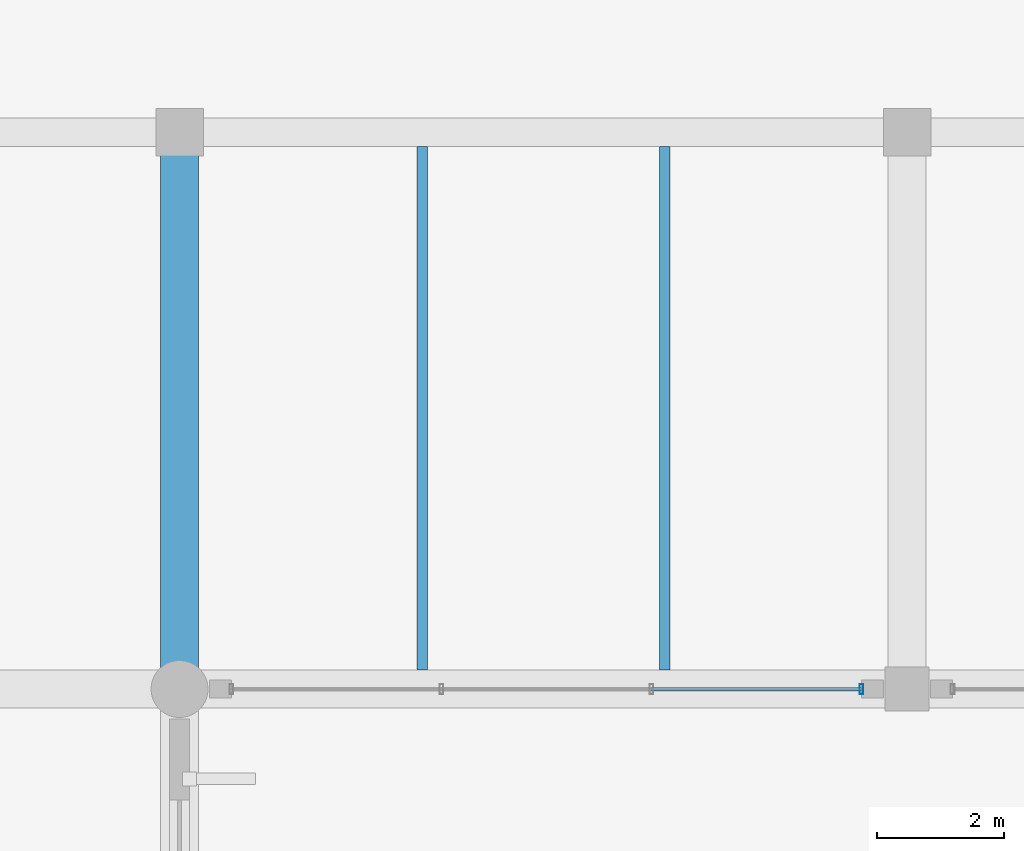
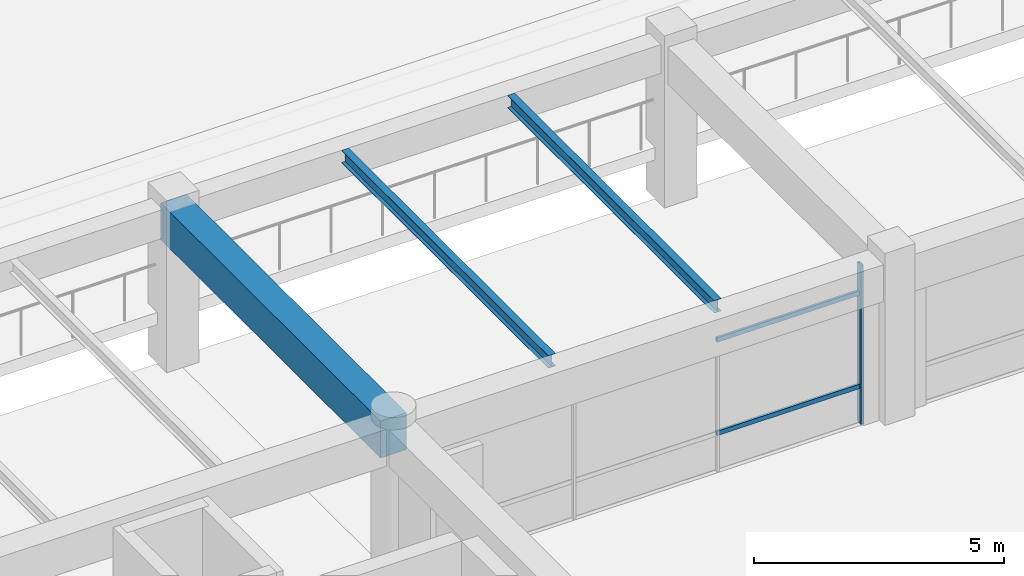
# One storey, part 55 of 109: 3 beams, 3 members, 1 element without a shape of its own.
"""IFC4 building model written with IfcOpenShell, lengths in metres."""

from ifc_helpers import new_model, si_unit, direction, frame, origin, origin_2d, place, context, subcontext, project, spatial, rectangle, hollow_rectangle, i_section, extrude, material, material_profile, profile_set, type_object, element, aggregate, save


model = new_model("IFC4")

# Units and contexts
model_context = context("Model", 3, precision=1e-05, world=origin(), true_north=direction((0.0, 1.0)))
body_context = subcontext(model_context, "Body", "Model", "MODEL_VIEW")
ifc_project = project(units=[si_unit("LENGTHUNIT", "METRE"), si_unit("AREAUNIT", "SQUARE_METRE"), si_unit("VOLUMEUNIT", "CUBIC_METRE"), si_unit("PLANEANGLEUNIT", "RADIAN"), si_unit("MASSUNIT", "GRAM", prefix="KILO")], contexts=[model_context])

# Site, building, storey
site_placement = place(None, origin())
site = spatial("IfcSite", under=ifc_project, at=site_placement, CompositionType="ELEMENT")
building_placement = place(site_placement, origin())
building = spatial("IfcBuilding", under=site, at=building_placement, Name="Ologun Quay Terminus", CompositionType="ELEMENT")
storey_placement = place(building_placement, origin())
storey = spatial("IfcBuildingStorey", under=building, at=storey_placement, Name="L00", CompositionType="ELEMENT", Elevation=0.0)

# Curtain wall, members
ifc_material_1 = material(Name="Aluminium 6063-T6", Category="aluminium")
curtain_wall_type = type_object("IfcCurtainWallType", Name="Forecourt Arcade Curtain Wall 10700x3750", PredefinedType="USERDEFINED", material=ifc_material_1)
curtain_wall_placement = place(storey_placement, origin())
curtain_wall = element("IfcCurtainWall", 1, at=curtain_wall_placement, inside=storey, type_object=curtain_wall_type, Name="CW-03 Curtain Wall CW-L00-007", ObjectType="UNITISED CURTAIN WALL", PredefinedType="USERDEFINED")
ifc_material_2 = material(Name="Aluminium 6063-T6", Category="aluminium")
ifc_material_profile_1 = material_profile(ifc_material_2, hollow_rectangle(XDim=0.06005859375, YDim=0.159912109375, WallThickness=0.00390625, at=origin_2d()), Name="ALU 160x60x4")
ifc_profile_set_1 = profile_set([ifc_material_profile_1], Name="Aluminium 6063-T6")
member_type_1 = type_object("IfcMemberType", Name="Curtain Wall Standard Mullion 160x65", PredefinedType="MULLION", material=ifc_profile_set_1)
member_1_placement = place(storey_placement, frame((137.280029296875, 27.199951171875, 0.0), z_axis=(0.0, 0.0, 1.0), x_axis=(1.0, 0.0, 0.0)))
member_1 = element("IfcMember", 2, at=member_1_placement, type_object=member_type_1, Name="CW-L00-007 Mullion 4", PredefinedType="MULLION", context=body_context, shape_type="SweptSolid", body=[
    extrude(hollow_rectangle(XDim=0.06005859375, YDim=0.159912109375, WallThickness=0.00390625, at=origin_2d()), origin(), (0.0, 0.0, 1.0), 3.8798828125),
])
ifc_material_3 = material(Name="Aluminium 6063-T6", Category="aluminium")
ifc_material_profile_2 = material_profile(ifc_material_3, hollow_rectangle(XDim=0.054931640625, YDim=0.110107421875, WallThickness=0.00390625, at=origin_2d()), Name="ALU 110x55x4")
ifc_profile_set_2 = profile_set([ifc_material_profile_2], Name="Aluminium 6063-T6")
member_type_2 = type_object("IfcMemberType", Name="Curtain Wall Standard Transom 110x55", PredefinedType="USERDEFINED", material=ifc_profile_set_2)
member_2_placement = place(storey_placement, frame((133.9599609375, 27.199951171875, 0.89990234375), z_axis=(1.0, 0.0, 0.0), x_axis=(0.0, 1.0, 0.0)))
member_2 = element("IfcMember", 3, at=member_2_placement, type_object=member_type_2, Name="CW-L00-007 Transom B3-1", ObjectType="TRANSOM", PredefinedType="USERDEFINED", context=body_context, shape_type="SweptSolid", body=[
    extrude(hollow_rectangle(XDim=0.054931640625, YDim=0.110107421875, WallThickness=0.00390625, at=origin_2d()), origin(), (0.0, 0.0, 1.0), 3.320068359375),
])
member_3_placement = place(storey_placement, frame((133.9599609375, 27.199951171875, 3.179931640625), z_axis=(1.0, 0.0, 0.0), x_axis=(0.0, 1.0, 0.0)))
member_3 = element("IfcMember", 4, at=member_3_placement, type_object=member_type_2, Name="CW-L00-007 Transom B3-2", ObjectType="TRANSOM", PredefinedType="USERDEFINED", context=body_context, shape_type="SweptSolid", body=[
    extrude(hollow_rectangle(XDim=0.054931640625, YDim=0.110107421875, WallThickness=0.00390625, at=origin_2d()), origin(), (0.0, 0.0, 1.0), 3.320068359375),
])
aggregate(curtain_wall, [member_1, member_2, member_3])

# Beams
ifc_material_4 = material(Name="Steel S355", Category="steel")
ifc_material_profile_3 = material_profile(ifc_material_4, i_section(OverallWidth=0.1650390625, OverallDepth=0.303466796875, WebThickness=0.006103515625, FlangeThickness=0.01025390625, at=origin_2d()), Name="UKB 305x165x40")
ifc_profile_set_3 = profile_set([ifc_material_profile_3], Name="Steel S355")
beam_type_1 = type_object("IfcBeamType", Name="Mezzanine Steel Joist UKB305", PredefinedType="JOIST", material=ifc_profile_set_3)
for number, where, z_axis, x_axis, name in (
    (5, (130.333251953125, 27.5, 3.748291015625), (0.0, 1.0, 0.0), (-1.0, 0.0, 0.0), "SJ1 Beam 12/D L00"),
    (6, (134.166748046875, 27.5, 3.748291015625), (0.0, 1.0, 0.0), (-1.0, 0.0, 0.0), "SJ1 Beam 12/D L00"),
):
    element("IfcBeam", number, at=place(storey_placement, frame(where, z_axis=z_axis, x_axis=x_axis)), inside=storey, type_object=beam_type_1, Name=name, PredefinedType="JOIST", context=body_context, shape_type="SweptSolid", body=[
        extrude(i_section(OverallWidth=0.1650390625, OverallDepth=0.303466796875, WebThickness=0.006103515625, FlangeThickness=0.01025390625, at=origin_2d()), origin(), (0.0, 0.0, 1.0), 8.27490234375),
    ])
ifc_material_5 = material(Name="Concrete C40/50", Category="concrete")
ifc_material_profile_4 = material_profile(ifc_material_5, rectangle(XDim=0.60009765625, YDim=0.89990234375, at=origin_2d()), Name="RC 600x900")
ifc_profile_set_4 = profile_set([ifc_material_profile_4], Name="Concrete C40/50")
beam_type_2 = type_object("IfcBeamType", Name="Station Frame Girder 600x900", PredefinedType="BEAM", material=ifc_profile_set_4)
beam_placement = place(storey_placement, frame((126.5, 27.199951171875, 3.449951171875), z_axis=(0.0, 1.0, 0.0), x_axis=(-1.0, 0.0, 0.0)))
element("IfcBeam", 7, at=beam_placement, inside=storey, type_object=beam_type_2, Name="B3 Beam 12/D L00", PredefinedType="BEAM", context=body_context, shape_type="SweptSolid", body=[
    extrude(rectangle(XDim=0.60009765625, YDim=0.89990234375, at=origin_2d()), origin(), (0.0, 0.0, 1.0), 8.800048828125),
])

save(model, "model.ifc")
